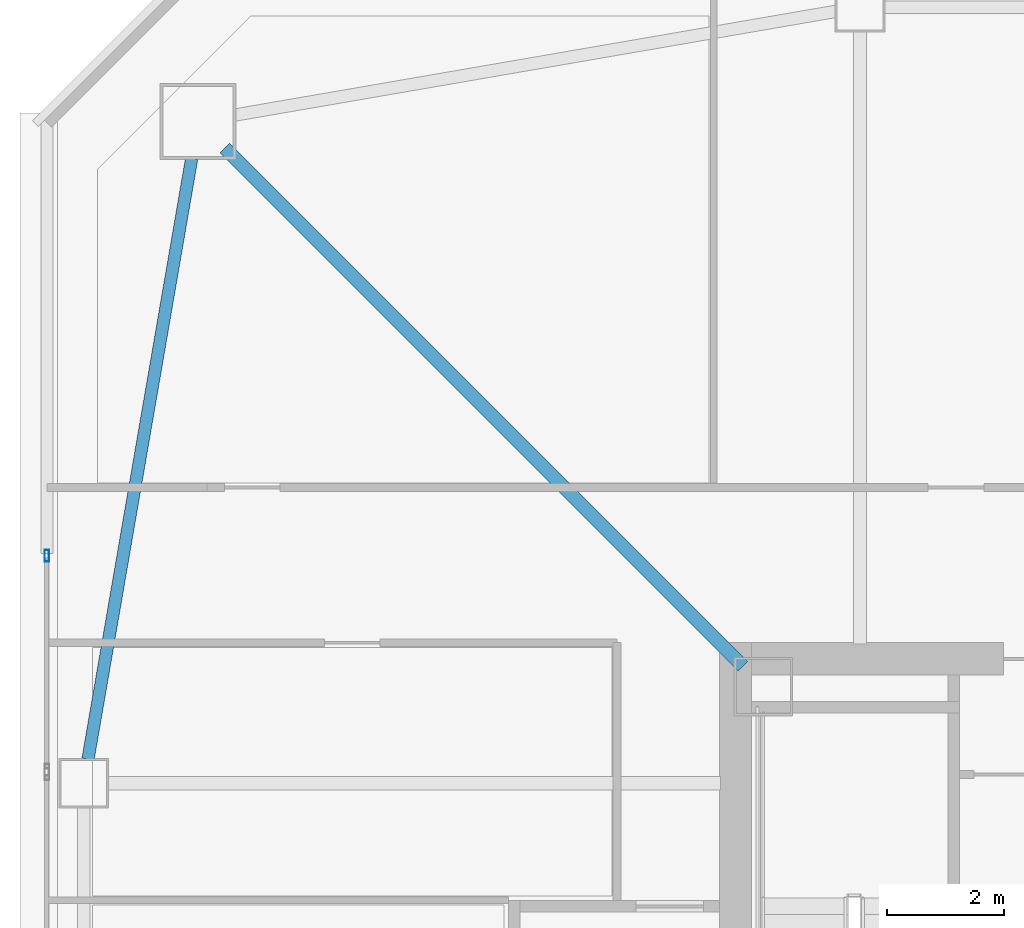
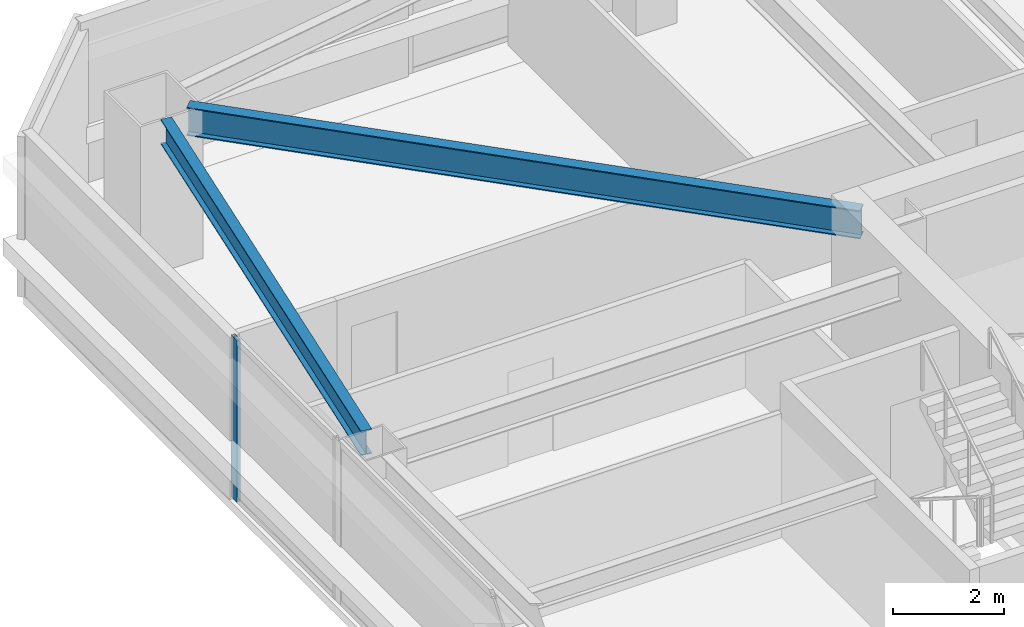
# One storey, part 12 of 41: 2 beams, 1 member, 1 element without a shape of its own.
"""IFC4 building model written with IfcOpenShell, lengths in metres."""

from ifc_helpers import new_model, si_unit, direction, frame, origin, origin_2d, place, context, subcontext, project, spatial, hollow_rectangle, i_section, extrude, material, material_profile, profile_set, type_object, element, aggregate, save


model = new_model("IFC4")

# Units and contexts
model_context = context("Model", 3, precision=1e-05, world=origin(), true_north=direction((0.0, 1.0)))
body_context = subcontext(model_context, "Body", "Model", "MODEL_VIEW")
ifc_project = project(units=[si_unit("LENGTHUNIT", "METRE"), si_unit("AREAUNIT", "SQUARE_METRE"), si_unit("VOLUMEUNIT", "CUBIC_METRE"), si_unit("PLANEANGLEUNIT", "RADIAN"), si_unit("MASSUNIT", "GRAM", prefix="KILO")], contexts=[model_context])

# Site, building, storey
site_placement = place(None, origin())
site = spatial("IfcSite", under=ifc_project, at=site_placement, CompositionType="ELEMENT")
building_placement = place(site_placement, origin())
building = spatial("IfcBuilding", under=site, at=building_placement, Name="Tashvorn Skyway Center", CompositionType="ELEMENT")
storey_placement = place(building_placement, frame((0.0, 0.0, 146.35009765625)))
storey = spatial("IfcBuildingStorey", under=building, at=storey_placement, Name="L39", CompositionType="ELEMENT", Elevation=146.35009765625)

# Beams
ifc_material_1 = material(Name="Steel ASTM A992 Grade 50", Category="steel")
ifc_material_profile_1 = material_profile(ifc_material_1, i_section(OverallWidth=0.22998046875, OverallDepth=0.616943359375, WebThickness=0.01318359375, FlangeThickness=0.022216796875, at=origin_2d()), Name="W24X94")
ifc_profile_set_1 = profile_set([ifc_material_profile_1], Name="Steel ASTM A992 Grade 50")
beam_type_1 = type_object("IfcBeamType", Name="BM-BEAM-W24X94", PredefinedType="BEAM", material=ifc_profile_set_1)
beam_1_placement = place(storey_placement, frame((25.756103515625, 48.243896484375, 3.0615234375), z_axis=(0.707106781187, -0.707106781187, 0.0), x_axis=(0.707106781187, 0.707106781187, 0.0)))
element("IfcBeam", 1, at=beam_1_placement, inside=storey, type_object=beam_type_1, Name="Tower 1 L39 Primary Floor Girder MC-NW", PredefinedType="BEAM", context=body_context, shape_type="SweptSolid", body=[
    extrude(i_section(OverallWidth=0.22998046875, OverallDepth=0.616943359375, WebThickness=0.01318359375, FlangeThickness=0.022216796875, at=origin_2d()), origin(), (0.0, 0.0, 1.0), 12.50732421875),
])
ifc_material_profile_2 = material_profile(ifc_material_1, i_section(OverallWidth=0.2109375, OverallDepth=0.5390625, WebThickness=0.01171875, FlangeThickness=0.018798828125, at=origin_2d()), Name="W21X73")
ifc_profile_set_2 = profile_set([ifc_material_profile_2], Name="Steel ASTM A992 Grade 50")
beam_type_2 = type_object("IfcBeamType", Name="BM-SPANDREL-W21X73", PredefinedType="SPANDREL", material=ifc_profile_set_2)
beam_2_placement = place(storey_placement, frame((25.1904296875, 48.064453125, 3.100341796875), z_axis=(-0.170067250846, -0.985432458462, 0.0), x_axis=(0.985432458462, -0.170067250846, 0.0)))
element("IfcBeam", 2, at=beam_2_placement, inside=storey, type_object=beam_type_2, Name="Tower 1 L39 Spandrel Beam 10", PredefinedType="SPANDREL", context=body_context, shape_type="SweptSolid", body=[
    extrude(i_section(OverallWidth=0.2109375, OverallDepth=0.5390625, WebThickness=0.01171875, FlangeThickness=0.018798828125, at=origin_2d()), origin(), (0.0, 0.0, 1.0), 10.402099609375),
])

# Curtain wall, member
ifc_material_2 = material(Name="Thermally broken bronze-anodized aluminium 6063-T6", Category="aluminium")
curtain_wall_type = type_object("IfcCurtainWallType", Name="CW-CW-Z3", PredefinedType="NOTDEFINED", material=ifc_material_2)
curtain_wall_placement = place(storey_placement, origin())
curtain_wall = element("IfcCurtainWall", 3, at=curtain_wall_placement, inside=storey, type_object=curtain_wall_type, Name="Tower 1 L39 West Unitised Curtain Wall Glazing Group 3", PredefinedType="NOTDEFINED")
ifc_material_profile_3 = material_profile(ifc_material_2, hollow_rectangle(XDim=0.074951171875, YDim=0.199951171875, WallThickness=0.00439453125, at=origin_2d()), Name="ALU-MULL-75x200")
ifc_profile_set_3 = profile_set([ifc_material_profile_3], Name="Thermally broken bronze-anodized aluminium 6063-T6")
member_type = type_object("IfcMemberType", Name="CWM-CW-Z3", PredefinedType="MULLION", material=ifc_profile_set_3)
member_placement = place(storey_placement, frame((22.719970703125, 41.28466796875, 0.0), z_axis=(0.0, 0.0, 1.0), x_axis=(-1.0, 0.0, 0.0)))
member = element("IfcMember", 4, at=member_placement, type_object=member_type, Name="CW-Z3 mullion 2", PredefinedType="MULLION", context=body_context, shape_type="SweptSolid", body=[
    extrude(hollow_rectangle(XDim=0.074951171875, YDim=0.199951171875, WallThickness=0.00439453125, at=origin_2d()), origin(), (0.0, 0.0, 1.0), 3.5498046875),
])
aggregate(curtain_wall, [member])

save(model, "model.ifc")
